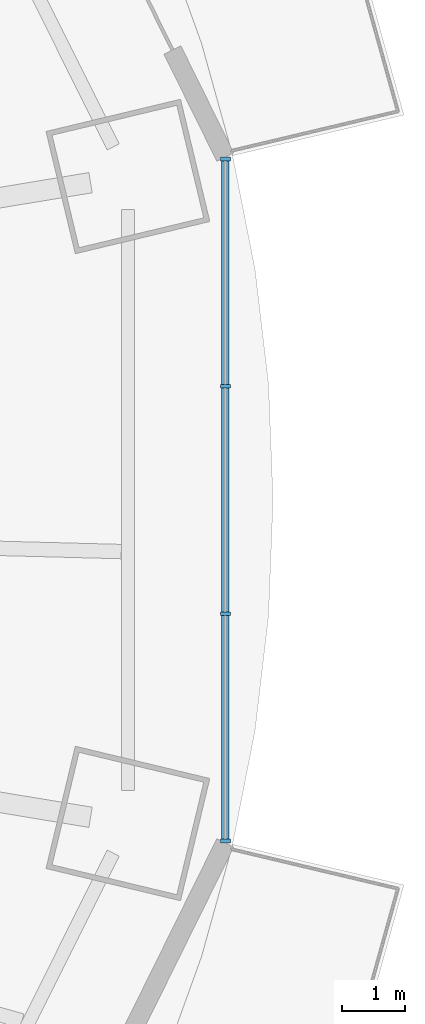
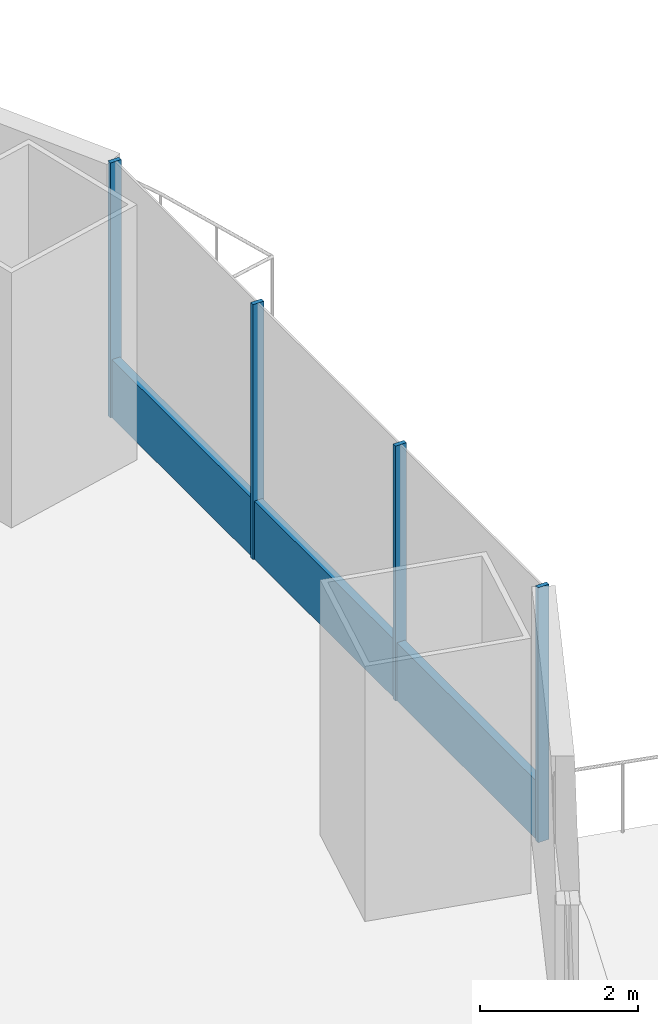
# One storey, part 10 of 18: 5 members, 1 element without a shape of its own.
"""IFC4 building model written with IfcOpenShell, lengths in metres."""

from ifc_helpers import new_model, si_unit, direction, frame, origin, origin_2d, place, context, subcontext, project, spatial, rectangle, extrude, material, material_profile, profile_set, type_object, element, aggregate, save


model = new_model("IFC4")

# Units and contexts
model_context = context("Model", 3, precision=1e-05, world=origin(), true_north=direction((0.0, 1.0)))
body_context = subcontext(model_context, "Body", "Model", "MODEL_VIEW")
ifc_project = project(units=[si_unit("LENGTHUNIT", "METRE"), si_unit("AREAUNIT", "SQUARE_METRE"), si_unit("VOLUMEUNIT", "CUBIC_METRE"), si_unit("PLANEANGLEUNIT", "RADIAN"), si_unit("MASSUNIT", "GRAM", prefix="KILO")], contexts=[model_context])

# Site, building, storey
site_placement = place(None, origin())
site = spatial("IfcSite", under=ifc_project, at=site_placement, CompositionType="ELEMENT")
building_placement = place(site_placement, origin())
building = spatial("IfcBuilding", under=site, at=building_placement, Name="Marenthal Gate Tower", CompositionType="ELEMENT")
storey_placement = place(building_placement, frame((0.0, 0.0, 140.89990234375)))
storey = spatial("IfcBuildingStorey", under=building, at=storey_placement, Name="L30", CompositionType="ELEMENT", Elevation=140.89990234375)

# Curtain wall, members
ifc_material_1 = material(Name="Aluminium and glass", Category="aluminium")
curtain_wall_type = type_object("IfcCurtainWallType", Name="Curtain wall typical low", PredefinedType="NOTDEFINED", material=ifc_material_1)
curtain_wall_placement = place(storey_placement, origin())
curtain_wall = element("IfcCurtainWall", 1, at=curtain_wall_placement, inside=storey, type_object=curtain_wall_type, Name="Curtain wall L30 bay 16", PredefinedType="NOTDEFINED")
ifc_material_2 = material(Name="Aluminium", Category="aluminium")
ifc_material_profile_1 = material_profile(ifc_material_2, rectangle(XDim=0.159912109375, YDim=0.06005859375, at=origin_2d()), Name="60x160 aluminium mullion")
ifc_profile_set_1 = profile_set([ifc_material_profile_1], Name="Aluminium")
member_type_1 = type_object("IfcMemberType", Name="Mullion 60x160 typical low", PredefinedType="MULLION", material=ifc_profile_set_1)
member_1_placement = place(storey_placement, frame((32.701416015625, -5.424072265625, 0.0), z_axis=(0.0, 0.0, 1.0), x_axis=(-1.0, 0.0, 0.0)))
member_1 = element("IfcMember", 2, at=member_1_placement, type_object=member_type_1, Name="Mullion L30 bay 16.1", PredefinedType="MULLION", context=body_context, shape_type="SweptSolid", body=[
    extrude(rectangle(XDim=0.159912109375, YDim=0.06005859375, at=origin_2d()), origin(), (0.0, 0.0, 1.0), 3.9501953125),
])
member_2_placement = place(storey_placement, frame((32.701416015625, -1.80810546875, 0.0), z_axis=(0.0, 0.0, 1.0), x_axis=(-1.0, 0.0, 0.0)))
member_2 = element("IfcMember", 3, at=member_2_placement, type_object=member_type_1, Name="Mullion L30 bay 16.2", PredefinedType="MULLION", context=body_context, shape_type="SweptSolid", body=[
    extrude(rectangle(XDim=0.159912109375, YDim=0.06005859375, at=origin_2d()), origin(), (0.0, 0.0, 1.0), 3.9501953125),
])
member_3_placement = place(storey_placement, frame((32.701416015625, 1.80810546875, 0.0), z_axis=(0.0, 0.0, 1.0), x_axis=(-1.0, 0.0, 0.0)))
member_3 = element("IfcMember", 4, at=member_3_placement, type_object=member_type_1, Name="Mullion L30 bay 16.3", PredefinedType="MULLION", context=body_context, shape_type="SweptSolid", body=[
    extrude(rectangle(XDim=0.159912109375, YDim=0.06005859375, at=origin_2d()), origin(), (0.0, 0.0, 1.0), 3.9501953125),
])
member_4_placement = place(storey_placement, frame((32.701416015625, 5.424072265625, 0.0), z_axis=(0.0, 0.0, 1.0), x_axis=(-1.0, 0.0, 0.0)))
member_4 = element("IfcMember", 5, at=member_4_placement, type_object=member_type_1, Name="Mullion L30 bay 16.4", PredefinedType="MULLION", context=body_context, shape_type="SweptSolid", body=[
    extrude(rectangle(XDim=0.159912109375, YDim=0.06005859375, at=origin_2d()), origin(), (0.0, 0.0, 1.0), 3.9501953125),
])
ifc_material_3 = material(Name="Aluminium", Category="aluminium")
ifc_material_profile_2 = material_profile(ifc_material_3, rectangle(XDim=0.1201171875, YDim=0.89990234375, at=origin_2d()), Name="120x900 aluminium transom")
ifc_profile_set_2 = profile_set([ifc_material_profile_2], Name="Aluminium")
member_type_2 = type_object("IfcMemberType", Name="Transom 120x900 typical low", PredefinedType="USERDEFINED", material=ifc_profile_set_2)
member_5_placement = place(storey_placement, frame((32.701416015625, -5.39404296875, 0.4501953125), z_axis=(0.0, 1.0, 0.0), x_axis=(-1.0, 0.0, 0.0)))
member_5 = element("IfcMember", 6, at=member_5_placement, type_object=member_type_2, Name="Transom L30 bay 16", ObjectType="TRANSOM", PredefinedType="USERDEFINED", context=body_context, shape_type="SweptSolid", body=[
    extrude(rectangle(XDim=0.1201171875, YDim=0.89990234375, at=origin_2d()), origin(), (0.0, 0.0, 1.0), 10.7880859375),
])
aggregate(curtain_wall, [member_1, member_2, member_3, member_4, member_5])

save(model, "model.ifc")
